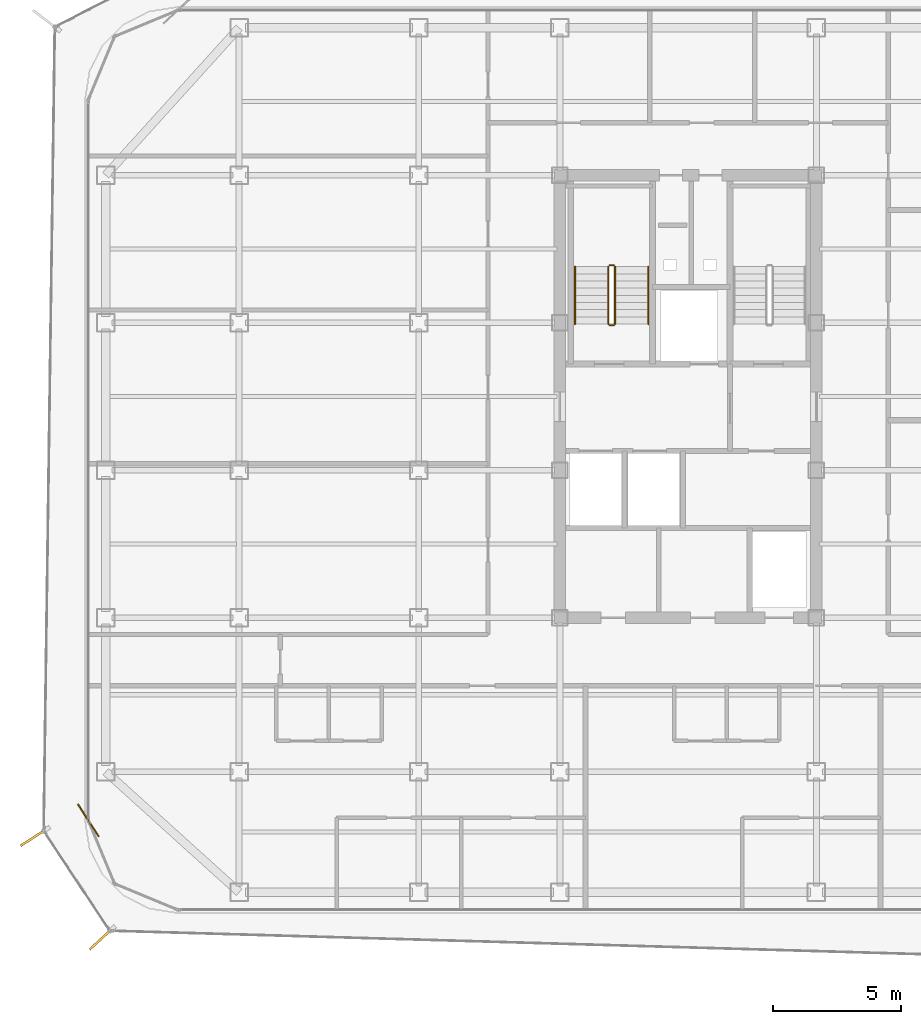
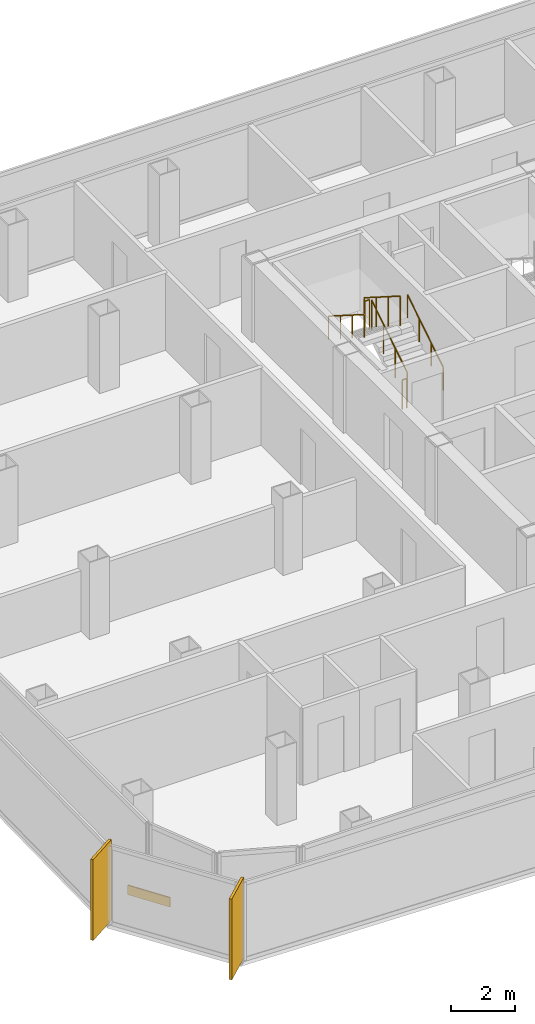
# One storey, part 13 of 15: 6 railings, 2 shading devices, 1 covering.
"""IFC4 building model written with IfcOpenShell, lengths in metres."""

from ifc_helpers import new_model, si_unit, direction, frame, origin, origin_2d, place, context, subcontext, project, spatial, rectangle, circle, extrude, source, transform, mapped, material, layer, layer_set, type_object, element, save


model = new_model("IFC4")

# Units and contexts
model_context = context("Model", 3, precision=1e-05, world=origin(), true_north=direction((0.0, 1.0)))
body_context = subcontext(model_context, "Body", "Model", "MODEL_VIEW")
ifc_project = project(units=[si_unit("LENGTHUNIT", "METRE"), si_unit("AREAUNIT", "SQUARE_METRE"), si_unit("VOLUMEUNIT", "CUBIC_METRE"), si_unit("PLANEANGLEUNIT", "RADIAN"), si_unit("MASSUNIT", "GRAM", prefix="KILO")], contexts=[model_context])

# Site, building, storey
site_placement = place(None, origin())
site = spatial("IfcSite", under=ifc_project, at=site_placement, CompositionType="ELEMENT")
building_placement = place(site_placement, origin())
building = spatial("IfcBuilding", under=site, at=building_placement, Name="Kolveth Station Tower", CompositionType="ELEMENT")
storey_placement = place(building_placement, frame((0.0, 0.0, 202.800048828125)))
storey = spatial("IfcBuildingStorey", under=building, at=storey_placement, Name="L57", CompositionType="ELEMENT", Elevation=202.800048828125)

# Railings
ifc_material_1 = material(Name="Painted Steel S355 balustrade", Category="steel")
railing_type_1 = type_object("IfcRailingType", Name="Guard_GR2", PredefinedType="BALUSTRADE", material=ifc_material_1)
railing_1_placement = place(storey_placement, frame((20.64990234375, 22.949951171875, 0.177734375)))
element("IfcRailing", 1, at=railing_1_placement, inside=storey, type_object=railing_type_1, Name="L57 ST1 stair guard 1", PredefinedType="BALUSTRADE", context=body_context, shape_type="SweptSolid", body=[
    extrude(circle(Radius=0.02392578125, at=origin_2d()), frame((0.0, 0.0, 1.1259765625), z_axis=(0.0, 0.8442293374, 0.53598211339), x_axis=(-1.0, 0.0, 0.0)), (0.0, 0.0, 1.0), 2.6533203125),
    extrude(circle(Radius=0.02099609375, at=origin_2d()), origin(), (0.0, 0.0, 1.0), 1.101806640625),
    extrude(circle(Radius=0.02099609375, at=origin_2d()), frame((0.0, 0.74658203125, 0.47412109375)), (0.0, 0.0, 1.0), 1.101806640625),
    extrude(circle(Radius=0.02099609375, at=origin_2d()), frame((0.0, 1.493408203125, 0.947998046875)), (0.0, 0.0, 1.0), 1.101806640625),
    extrude(circle(Radius=0.02099609375, at=origin_2d()), frame((0.0, 2.239990234375, 1.422119140625)), (0.0, 0.0, 1.0), 1.101806640625),
])
railing_2_placement = place(storey_placement, frame((20.60009765625, 25.239990234375, 1.599853515625)))
element("IfcRailing", 2, at=railing_2_placement, inside=storey, type_object=railing_type_1, Name="L57 ST1 stair guard 2", PredefinedType="BALUSTRADE", context=body_context, shape_type="SweptSolid", body=[
    extrude(circle(Radius=0.02392578125, at=origin_2d()), frame((0.0, 0.0, 1.1259765625), z_axis=(-1.0, 0.0, 0.0), x_axis=(0.0, -1.0, 0.0)), (0.0, 0.0, 1.0), 0.16015625),
    extrude(circle(Radius=0.02099609375, at=origin_2d()), origin(), (0.0, 0.0, 1.0), 1.101806640625),
    extrude(circle(Radius=0.02099609375, at=origin_2d()), frame((-0.16015625, 0.0, 0.0)), (0.0, 0.0, 1.0), 1.101806640625),
])
railing_3_placement = place(storey_placement, frame((20.389892578125, 25.18994140625, 1.77783203125)))
element("IfcRailing", 3, at=railing_3_placement, inside=storey, type_object=railing_type_1, Name="L57 ST1 stair guard 3", PredefinedType="BALUSTRADE", context=body_context, shape_type="SweptSolid", body=[
    extrude(circle(Radius=0.02392578125, at=origin_2d()), frame((0.0, 0.0, 1.1259765625), z_axis=(0.0, -0.8442293374, 0.53598211339), x_axis=(1.0, 0.0, 0.0)), (0.0, 0.0, 1.0), 2.6533203125),
    extrude(circle(Radius=0.02099609375, at=origin_2d()), origin(), (0.0, 0.0, 1.0), 1.101806640625),
    extrude(circle(Radius=0.02099609375, at=origin_2d()), frame((0.0, -0.74658203125, 0.47412109375)), (0.0, 0.0, 1.0), 1.101806640625),
    extrude(circle(Radius=0.02099609375, at=origin_2d()), frame((0.0, -1.493408203125, 0.947998046875)), (0.0, 0.0, 1.0), 1.101806640625),
    extrude(circle(Radius=0.02099609375, at=origin_2d()), frame((0.0, -2.239990234375, 1.422119140625)), (0.0, 0.0, 1.0), 1.101806640625),
])
railing_4_placement = place(storey_placement, frame((20.60009765625, 22.89990234375, 0.0)))
element("IfcRailing", 4, at=railing_4_placement, inside=storey, type_object=railing_type_1, Name="L57 ST1 stair guard 4", PredefinedType="BALUSTRADE", context=body_context, shape_type="SweptSolid", body=[
    extrude(circle(Radius=0.02392578125, at=origin_2d()), frame((0.0, 0.0, 1.1259765625), z_axis=(-1.0, 0.0, 0.0), x_axis=(0.0, -1.0, 0.0)), (0.0, 0.0, 1.0), 0.16015625),
    extrude(circle(Radius=0.02099609375, at=origin_2d()), origin(), (0.0, 0.0, 1.0), 1.101806640625),
    extrude(circle(Radius=0.02099609375, at=origin_2d()), frame((-0.16015625, 0.0, 0.0)), (0.0, 0.0, 1.0), 1.101806640625),
])
ifc_material_2 = material(Name="Brushed stainless steel", Category="steel")
railing_type_2 = type_object("IfcRailingType", Name="Handrail_HR1", PredefinedType="HANDRAIL", material=ifc_material_2)
railing_5_placement = place(storey_placement, frame((21.949951171875, 22.949951171875, 0.177734375)))
element("IfcRailing", 5, at=railing_5_placement, inside=storey, type_object=railing_type_2, Name="L57 ST1 stair handrail 1", PredefinedType="HANDRAIL", context=body_context, shape_type="SweptSolid", body=[
    extrude(circle(Radius=0.02392578125, at=origin_2d()), frame((0.0, 0.0, 0.8759765625), z_axis=(0.0, 0.8442293374, 0.53598211339), x_axis=(-1.0, 0.0, 0.0)), (0.0, 0.0, 1.0), 2.6533203125),
    extrude(circle(Radius=0.02099609375, at=origin_2d()), origin(), (0.0, 0.0, 1.0), 0.851806640625),
    extrude(circle(Radius=0.02099609375, at=origin_2d()), frame((0.0, 0.74658203125, 0.47412109375)), (0.0, 0.0, 1.0), 0.851806640625),
    extrude(circle(Radius=0.02099609375, at=origin_2d()), frame((0.0, 1.493408203125, 0.947998046875)), (0.0, 0.0, 1.0), 0.851806640625),
    extrude(circle(Radius=0.02099609375, at=origin_2d()), frame((0.0, 2.239990234375, 1.422119140625)), (0.0, 0.0, 1.0), 0.851806640625),
])
railing_6_placement = place(storey_placement, frame((19.090087890625, 25.18994140625, 1.77783203125)))
element("IfcRailing", 6, at=railing_6_placement, inside=storey, type_object=railing_type_2, Name="L57 ST1 stair handrail 2", PredefinedType="HANDRAIL", context=body_context, shape_type="SweptSolid", body=[
    extrude(circle(Radius=0.02392578125, at=origin_2d()), frame((0.0, 0.0, 0.8759765625), z_axis=(0.0, -0.8442293374, 0.53598211339), x_axis=(1.0, 0.0, 0.0)), (0.0, 0.0, 1.0), 2.6533203125),
    extrude(circle(Radius=0.02099609375, at=origin_2d()), origin(), (0.0, 0.0, 1.0), 0.851806640625),
    extrude(circle(Radius=0.02099609375, at=origin_2d()), frame((0.0, -0.74658203125, 0.47412109375)), (0.0, 0.0, 1.0), 0.851806640625),
    extrude(circle(Radius=0.02099609375, at=origin_2d()), frame((0.0, -1.493408203125, 0.947998046875)), (0.0, 0.0, 1.0), 0.851806640625),
    extrude(circle(Radius=0.02099609375, at=origin_2d()), frame((0.0, -2.239990234375, 1.422119140625)), (0.0, 0.0, 1.0), 0.851806640625),
])

# Shading devices
ifc_material_3 = material(Name="Black anodized aluminium 6063-T6", Category="aluminium")
shading_device_type = type_object("IfcShadingDeviceType", Name="FIN_VF1", PredefinedType="USERDEFINED", material=ifc_material_3)
shared_shape_1 = source(origin(), body_context, "Body", "SweptSolid", [
    extrude(rectangle(XDim=1.25, YDim=0.090087890625, at=origin_2d()), origin(), (0.0, 0.0, 1.0), 3.10009765625),
])
for number, where, z_axis, x_axis, name in (
    (7, (-1.992919921875, 2.950927734375, 0.0), (0.0, 0.0, 1.0), (-0.841510781945, -0.540240320478, 0.0), "L57 Dark-Aluminium Solar Fin 7"),
    (8, (0.62890625, -1.008056640625, 0.0), (0.0, 0.0, 1.0), (-0.735742574804, -0.677261296414, 0.0), "L57 Dark-Aluminium Solar Fin 8"),
):
    element("IfcShadingDevice", number, at=place(storey_placement, frame(where, z_axis=z_axis, x_axis=x_axis)), inside=storey, type_object=shading_device_type, Name=name, ObjectType="FIN", PredefinedType="USERDEFINED", context=body_context, shape_type="MappedRepresentation", body=[
        mapped(shared_shape_1, transform((0.0, 0.0, 0.0), x_axis=(1.0, 0.0, 0.0), y_axis=(0.0, 1.0, 0.0), z_axis=(0.0, 0.0, 1.0), scale=1.0)),
    ])

# Covering
ifc_material_4 = material(Name="Charcoal anodized aluminium spandrel cladding", Category="aluminium")
ifc_layer = layer(ifc_material_4, 0.044921875)
ifc_layer_set = layer_set([ifc_layer], Name="Charcoal anodized aluminium spandrel cladding")
covering_type = type_object("IfcCoveringType", Name="Clad_CD1", PredefinedType="CLADDING", material=ifc_layer_set)
shared_shape_2 = source(origin(), body_context, "Body", "SweptSolid", [
    extrude(rectangle(XDim=1.5, YDim=0.044921875, at=origin_2d()), origin(), (0.0, 0.0, 1.0), 0.360107421875),
])
covering_placement = place(storey_placement, frame((0.1201171875, 3.60009765625, 0.0), z_axis=(0.0, 0.0, 1.0), x_axis=(0.540240320478, -0.841510781945, 0.0)))
element("IfcCovering", 9, at=covering_placement, inside=storey, type_object=covering_type, Name="L57 Spandrel Edge Cladding 7", PredefinedType="CLADDING", context=body_context, shape_type="MappedRepresentation", body=[
    mapped(shared_shape_2, transform((0.0, 0.0, 0.0), x_axis=(1.0, 0.0, 0.0), y_axis=(0.0, 1.0, 0.0), z_axis=(0.0, 0.0, 1.0), scale=1.0)),
])

save(model, "model.ifc")
